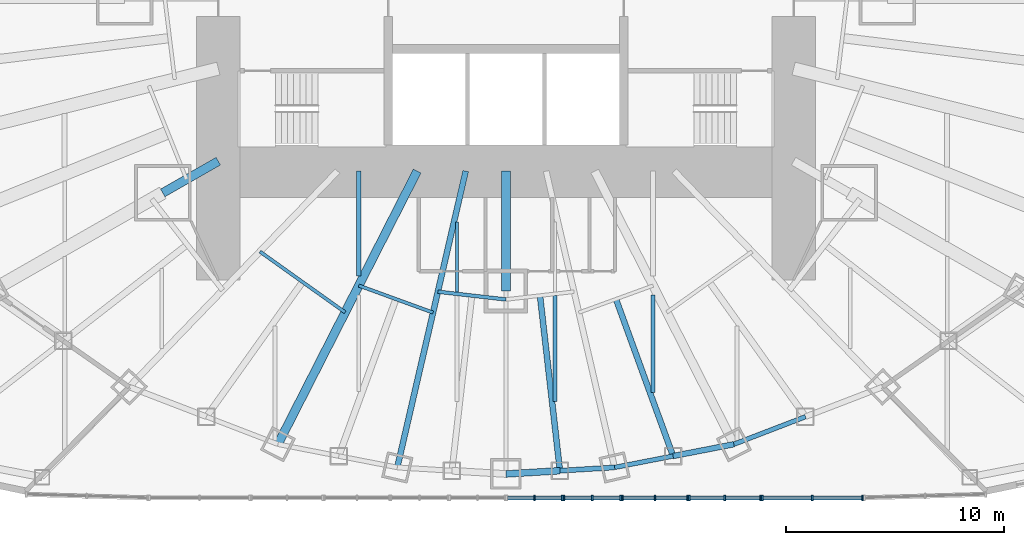
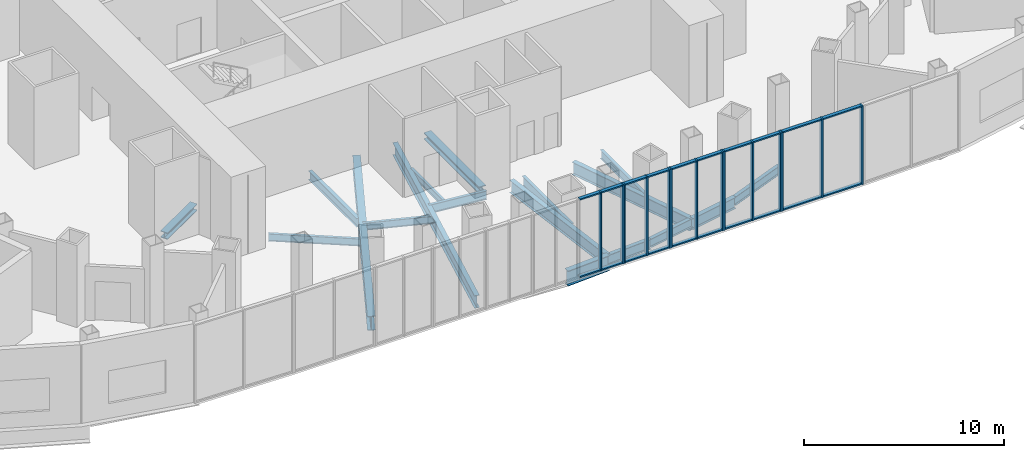
# One storey, part 4 of 73: 34 members, 18 beams, 5 elements without a shape of their own.
"""IFC4 building model written with IfcOpenShell, lengths in metres."""

from ifc_helpers import new_model, si_unit, direction, frame, origin, origin_2d, place, context, subcontext, project, spatial, rectangle, i_section, extrude, material, material_profile, profile_set, type_object, element, aggregate, save


model = new_model("IFC4")

# Units and contexts
model_context = context("Model", 3, precision=1e-05, world=origin(), true_north=direction((0.0, 1.0)))
body_context = subcontext(model_context, "Body", "Model", "MODEL_VIEW")
ifc_project = project(units=[si_unit("LENGTHUNIT", "METRE"), si_unit("AREAUNIT", "SQUARE_METRE"), si_unit("VOLUMEUNIT", "CUBIC_METRE"), si_unit("PLANEANGLEUNIT", "RADIAN"), si_unit("MASSUNIT", "GRAM", prefix="KILO")], contexts=[model_context])

# Site, building, storey
site_placement = place(None, origin())
site = spatial("IfcSite", under=ifc_project, at=site_placement, CompositionType="ELEMENT")
building_placement = place(site_placement, origin())
building = spatial("IfcBuilding", under=site, at=building_placement, Name="Lantaw Convention Tower", CompositionType="ELEMENT")
storey_placement = place(building_placement, frame((0.0, 0.0, 22.0)))
storey = spatial("IfcBuildingStorey", under=building, at=storey_placement, Name="L03", CompositionType="ELEMENT", Elevation=22.0)

# Beams
ifc_material_1 = material(Name="Steel ASTM A992", Category="steel")
ifc_material_profile_1 = material_profile(ifc_material_1, i_section(OverallWidth=0.2099609375, OverallDepth=0.535888671875, WebThickness=0.010986328125, FlangeThickness=0.017333984375, FilletRadius=0.012939453125, at=origin_2d()), Name="W21X68")
ifc_profile_set_1 = profile_set([ifc_material_profile_1], Name="Steel ASTM A992")
beam_type_1 = type_object("IfcBeamType", Name="Beam E W21X68", PredefinedType="SPANDREL", material=ifc_profile_set_1)
beam_1_placement = place(storey_placement, frame((4.986328125, -21.59814453125, -0.468017578125), z_axis=(0.981637218105, 0.190757364289, 0.0), x_axis=(-0.190757364289, 0.981637218105, 0.0)))
element("IfcBeam", 1, at=beam_1_placement, inside=storey, type_object=beam_type_1, Name="Edge beam 20", PredefinedType="SPANDREL", context=body_context, shape_type="SweptSolid", body=[
    extrude(i_section(OverallWidth=0.2099609375, OverallDepth=0.535888671875, WebThickness=0.010986328125, FlangeThickness=0.017333984375, FilletRadius=0.012939453125, at=origin_2d()), origin(), (0.0, 0.0, 1.0), 2.735107421875),
])
beam_2_placement = place(storey_placement, frame((10.462646484375, -20.533935546875, -0.468017578125), z_axis=(0.933241815012, 0.359248820058, 0.0), x_axis=(-0.359248820058, 0.933241815012, 0.0)))
element("IfcBeam", 2, at=beam_2_placement, inside=storey, type_object=beam_type_1, Name="Edge beam 21", PredefinedType="SPANDREL", context=body_context, shape_type="SweptSolid", body=[
    extrude(i_section(OverallWidth=0.2099609375, OverallDepth=0.535888671875, WebThickness=0.010986328125, FlangeThickness=0.017333984375, FilletRadius=0.012939453125, at=origin_2d()), origin(), (0.0, 0.0, 1.0), 3.517578125),
])
ifc_material_profile_2 = material_profile(ifc_material_1, i_section(OverallWidth=0.22900390625, OverallDepth=0.612060546875, WebThickness=0.011962890625, FlangeThickness=0.01953125, FilletRadius=0.0126953125, at=origin_2d()), Name="W24X84")
ifc_profile_set_2 = profile_set([ifc_material_profile_2], Name="Steel ASTM A992")
beam_type_2 = type_object("IfcBeamType", Name="Beam E W24X84", PredefinedType="SPANDREL", material=ifc_profile_set_2)
beam_3_placement = place(storey_placement, frame((2.47802734375, -21.75, -0.506103515625), z_axis=(0.998172405641, 0.060430527186, 0.0), x_axis=(-0.060430527186, 0.998172405641, 0.0)))
element("IfcBeam", 3, at=beam_3_placement, inside=storey, type_object=beam_type_2, Name="Edge beam 19", PredefinedType="SPANDREL", context=body_context, shape_type="SweptSolid", body=[
    extrude(i_section(OverallWidth=0.22900390625, OverallDepth=0.612060546875, WebThickness=0.011962890625, FlangeThickness=0.01953125, FilletRadius=0.0126953125, at=origin_2d()), origin(), (0.0, 0.0, 1.0), 2.512939453125),
])
ifc_material_profile_3 = material_profile(ifc_material_1, i_section(OverallWidth=0.256591796875, OverallDepth=0.693359375, WebThickness=0.014404296875, FlangeThickness=0.023681640625, FilletRadius=0.01513671875, at=origin_2d()), Name="W27X114")
ifc_profile_set_3 = profile_set([ifc_material_profile_3], Name="Steel ASTM A992")
beam_type_3 = type_object("IfcBeamType", Name="Beam E W27X114", PredefinedType="SPANDREL", material=ifc_profile_set_3)
beam_4_placement = place(storey_placement, frame((7.671142578125, -21.076416015625, -0.546630859375), z_axis=(0.98163593748, 0.190763954266, 0.0), x_axis=(-0.190763954266, 0.98163593748, 0.0)))
element("IfcBeam", 4, at=beam_4_placement, inside=storey, type_object=beam_type_3, Name="Edge beam 20", PredefinedType="SPANDREL", context=body_context, shape_type="SweptSolid", body=[
    extrude(i_section(OverallWidth=0.256591796875, OverallDepth=0.693359375, WebThickness=0.014404296875, FlangeThickness=0.023681640625, FilletRadius=0.01513671875, at=origin_2d()), origin(), (0.0, 0.0, 1.0), 2.84375),
])
ifc_material_profile_4 = material_profile(ifc_material_1, i_section(OverallWidth=0.307373046875, OverallDepth=0.922119140625, WebThickness=0.018310546875, FlangeThickness=0.030029296875, FilletRadius=0.0126953125, at=origin_2d()), Name="W36X182")
ifc_profile_set_4 = profile_set([ifc_material_profile_4], Name="Steel ASTM A992")
beam_type_4 = type_object("IfcBeamType", Name="Beam E W36X182", PredefinedType="SPANDREL", material=ifc_profile_set_4)
beam_5_placement = place(storey_placement, frame((0.0, -21.89990234375, -0.660888671875), z_axis=(0.998175328335, 0.060382231685, 0.0), x_axis=(-0.060382231685, 0.998175328335, 0.0)))
element("IfcBeam", 5, at=beam_5_placement, inside=storey, type_object=beam_type_4, Name="Edge beam 19", PredefinedType="SPANDREL", context=body_context, shape_type="SweptSolid", body=[
    extrude(i_section(OverallWidth=0.307373046875, OverallDepth=0.922119140625, WebThickness=0.018310546875, FlangeThickness=0.030029296875, FilletRadius=0.0126953125, at=origin_2d()), origin(), (0.0, 0.0, 1.0), 2.482666015625),
])
ifc_material_profile_5 = material_profile(ifc_material_1, i_section(OverallWidth=0.2666015625, OverallDepth=0.7568359375, WebThickness=0.013916015625, FlangeThickness=0.019287109375, FilletRadius=0.0126953125, at=origin_2d()), Name="W30X108")
ifc_profile_set_5 = profile_set([ifc_material_profile_5], Name="Steel ASTM A992")
beam_type_5 = type_object("IfcBeamType", Name="Beam G W30X108", PredefinedType="BEAM", material=ifc_profile_set_5)
beam_6_placement = place(storey_placement, frame((1.5625, -13.713134765625, -0.578369140625), z_axis=(0.113183957156, -0.993574049501, 0.0), x_axis=(0.993574049501, 0.113183957156, 0.0)))
element("IfcBeam", 6, at=beam_6_placement, inside=storey, type_object=beam_type_5, Name="Floor girder on bisector 19", PredefinedType="BEAM", context=body_context, shape_type="SweptSolid", body=[
    extrude(i_section(OverallWidth=0.2666015625, OverallDepth=0.7568359375, WebThickness=0.013916015625, FlangeThickness=0.019287109375, FilletRadius=0.0126953125, at=origin_2d()), origin(), (0.0, 0.0, 1.0), 8.0888671875),
])
ifc_material_profile_6 = material_profile(ifc_material_1, i_section(OverallWidth=0.2666015625, OverallDepth=0.76953125, WebThickness=0.015625, FlangeThickness=0.025390625, FilletRadius=0.0126953125, at=origin_2d()), Name="W30X132")
ifc_profile_set_6 = profile_set([ifc_material_profile_6], Name="Steel ASTM A992")
beam_type_6 = type_object("IfcBeamType", Name="Beam G W30X132", PredefinedType="BEAM", material=ifc_profile_set_6)
beam_7_placement = place(storey_placement, frame((-1.846923828125, -8.0, -0.584716796875), z_axis=(-0.224952773175, -0.97436966796, 0.0), x_axis=(0.97436966796, -0.224952773175, 0.0)))
element("IfcBeam", 7, at=beam_7_placement, inside=storey, type_object=beam_type_6, Name="Floor girder on ray 18", PredefinedType="BEAM", context=body_context, shape_type="SweptSolid", body=[
    extrude(i_section(OverallWidth=0.2666015625, OverallDepth=0.76953125, WebThickness=0.015625, FlangeThickness=0.025390625, FilletRadius=0.0126953125, at=origin_2d()), origin(), (0.0, 0.0, 1.0), 13.955810546875),
])
beam_8_placement = place(storey_placement, frame((5.04931640625, -13.873046875, -0.584716796875), z_axis=(0.342021781151, -0.939692024664, 0.0), x_axis=(0.939692024664, 0.342021781151, 0.0)))
element("IfcBeam", 8, at=beam_8_placement, inside=storey, type_object=beam_type_6, Name="Floor girder on bisector 20", PredefinedType="BEAM", context=body_context, shape_type="SweptSolid", body=[
    extrude(i_section(OverallWidth=0.2666015625, OverallDepth=0.76953125, WebThickness=0.015625, FlangeThickness=0.025390625, FilletRadius=0.0126953125, at=origin_2d()), origin(), (0.0, 0.0, 1.0), 7.665771484375),
])
ifc_material_profile_7 = material_profile(ifc_material_1, i_section(OverallWidth=0.398681640625, OverallDepth=0.85595703125, WebThickness=0.01806640625, FlangeThickness=0.029296875, FilletRadius=0.016357421875, at=origin_2d()), Name="W33X201")
ifc_profile_set_7 = profile_set([ifc_material_profile_7], Name="Steel ASTM A992")
beam_type_7 = type_object("IfcBeamType", Name="Beam G W33X201", PredefinedType="BEAM", material=ifc_profile_set_7)
beam_9_placement = place(storey_placement, frame((-4.076171875, -8.0, -0.6279296875), z_axis=(-0.453997016122, -0.891003203896, 0.0), x_axis=(0.891003203896, -0.453997016122, 0.0)))
element("IfcBeam", 9, at=beam_9_placement, inside=storey, type_object=beam_type_7, Name="Floor girder on ray 17", PredefinedType="BEAM", context=body_context, shape_type="SweptSolid", body=[
    extrude(i_section(OverallWidth=0.398681640625, OverallDepth=0.85595703125, WebThickness=0.01806640625, FlangeThickness=0.029296875, FilletRadius=0.016357421875, at=origin_2d()), origin(), (0.0, 0.0, 1.0), 14.067138671875),
])
ifc_material_profile_8 = material_profile(ifc_material_1, i_section(OverallWidth=0.40380859375, OverallDepth=0.406494140625, WebThickness=0.027099609375, FlangeThickness=0.043701171875, FilletRadius=0.01513671875, at=origin_2d()), Name="W14X233")
ifc_profile_set_8 = profile_set([ifc_material_profile_8], Name="Steel ASTM A992")
beam_type_8 = type_object("IfcBeamType", Name="Beam GM W14X233", PredefinedType="BEAM", material=ifc_profile_set_8)
beam_10_placement = place(storey_placement, frame((-13.199951171875, -7.54296875, -0.4033203125), z_axis=(-0.868263603466, -0.496103129295, 0.0), x_axis=(0.496103129295, -0.868263603466, 0.0)))
element("IfcBeam", 10, at=beam_10_placement, inside=storey, type_object=beam_type_8, Name="Core link beam on ray 15", PredefinedType="BEAM", context=body_context, shape_type="SweptSolid", body=[
    extrude(i_section(OverallWidth=0.40380859375, OverallDepth=0.406494140625, WebThickness=0.027099609375, FlangeThickness=0.043701171875, FilletRadius=0.01513671875, at=origin_2d()), origin(), (0.0, 0.0, 1.0), 2.93701171875),
])
beam_11_placement = place(storey_placement, frame((0.0, -8.0, -0.4033203125), z_axis=(0.0, -1.0, 0.0), x_axis=(1.0, 0.0, 0.0)))
element("IfcBeam", 11, at=beam_11_placement, inside=storey, type_object=beam_type_8, Name="Core link beam on ray 19", PredefinedType="BEAM", context=body_context, shape_type="SweptSolid", body=[
    extrude(i_section(OverallWidth=0.40380859375, OverallDepth=0.406494140625, WebThickness=0.027099609375, FlangeThickness=0.043701171875, FilletRadius=0.01513671875, at=origin_2d()), origin(), (0.0, 0.0, 1.0), 5.5),
])
ifc_material_profile_9 = material_profile(ifc_material_1, i_section(OverallWidth=0.15234375, OverallDepth=0.449462890625, WebThickness=0.007568359375, FlangeThickness=0.0107421875, FilletRadius=0.01025390625, at=origin_2d()), Name="W18X35")
ifc_profile_set_9 = profile_set([ifc_material_profile_9], Name="Steel ASTM A992")
beam_type_9 = type_object("IfcBeamType", Name="Beam HC W18X35", PredefinedType="BEAM", material=ifc_profile_set_9)
beam_12_placement = place(storey_placement, frame((-11.291748046875, -11.69287109375, -0.4248046875), z_axis=(0.814110909588, -0.580709416912, 0.0), x_axis=(0.580709416912, 0.814110909588, 0.0)))
element("IfcBeam", 12, at=beam_12_placement, inside=storey, type_object=beam_type_9, Name="Collar beam on bisector 16", PredefinedType="BEAM", context=body_context, shape_type="SweptSolid", body=[
    extrude(i_section(OverallWidth=0.15234375, OverallDepth=0.449462890625, WebThickness=0.007568359375, FlangeThickness=0.0107421875, FilletRadius=0.01025390625, at=origin_2d()), origin(), (0.0, 0.0, 1.0), 4.805419921875),
])
beam_13_placement = place(storey_placement, frame((-6.752685546875, -13.253173828125, -0.4248046875), z_axis=(0.939689171859, -0.342029619025, 0.0), x_axis=(0.342029619025, 0.939689171859, 0.0)))
element("IfcBeam", 13, at=beam_13_placement, inside=storey, type_object=beam_type_9, Name="Collar beam on bisector 17", PredefinedType="BEAM", context=body_context, shape_type="SweptSolid", body=[
    extrude(i_section(OverallWidth=0.15234375, OverallDepth=0.449462890625, WebThickness=0.007568359375, FlangeThickness=0.0107421875, FilletRadius=0.01025390625, at=origin_2d()), origin(), (0.0, 0.0, 1.0), 3.62548828125),
])
ifc_material_profile_10 = material_profile(ifc_material_1, i_section(OverallWidth=0.165771484375, OverallDepth=0.5283203125, WebThickness=0.009765625, FlangeThickness=0.013671875, FilletRadius=0.012939453125, at=origin_2d()), Name="W21X50")
ifc_profile_set_10 = profile_set([ifc_material_profile_10], Name="Steel ASTM A992")
beam_type_10 = type_object("IfcBeamType", Name="Beam HC W21X50", PredefinedType="BEAM", material=ifc_profile_set_10)
beam_14_placement = place(storey_placement, frame((-3.124755859375, -13.534912109375, -0.464111328125), z_axis=(0.99356540907, -0.113259780595, 0.0), x_axis=(0.113259780595, 0.99356540907, 0.0)))
element("IfcBeam", 14, at=beam_14_placement, inside=storey, type_object=beam_type_10, Name="Collar beam on bisector 18", PredefinedType="BEAM", context=body_context, shape_type="SweptSolid", body=[
    extrude(i_section(OverallWidth=0.165771484375, OverallDepth=0.5283203125, WebThickness=0.009765625, FlangeThickness=0.013671875, FilletRadius=0.012939453125, at=origin_2d()), origin(), (0.0, 0.0, 1.0), 3.14501953125),
])
ifc_material_profile_11 = material_profile(ifc_material_1, i_section(OverallWidth=0.140380859375, OverallDepth=0.40380859375, WebThickness=0.007080078125, FlangeThickness=0.01123046875, FilletRadius=0.01025390625, at=origin_2d()), Name="W16X31")
ifc_profile_set_11 = profile_set([ifc_material_profile_11], Name="Steel ASTM A992")
beam_type_11 = type_object("IfcBeamType", Name="Beam J W16X31", PredefinedType="JOIST", material=ifc_profile_set_11)
beam_15_placement = place(storey_placement, frame((-2.25, -13.55126953125, -0.40185546875), z_axis=(0.0, 1.0, 0.0), x_axis=(-1.0, 0.0, 0.0)))
element("IfcBeam", 15, at=beam_15_placement, inside=storey, type_object=beam_type_11, Name="Floor joist", PredefinedType="JOIST", context=body_context, shape_type="SweptSolid", body=[
    extrude(i_section(OverallWidth=0.140380859375, OverallDepth=0.40380859375, WebThickness=0.007080078125, FlangeThickness=0.01123046875, FilletRadius=0.01025390625, at=origin_2d()), origin(), (0.0, 0.0, 1.0), 3.212646484375),
])
ifc_material_profile_12 = material_profile(ifc_material_1, i_section(OverallWidth=0.1650390625, OverallDepth=0.52587890625, WebThickness=0.0087890625, FlangeThickness=0.011474609375, FilletRadius=0.0126953125, at=origin_2d()), Name="W21X44")
ifc_profile_set_12 = profile_set([ifc_material_profile_12], Name="Steel ASTM A992")
beam_type_12 = type_object("IfcBeamType", Name="Beam J W21X44", PredefinedType="JOIST", material=ifc_profile_set_12)
beam_16_placement = place(storey_placement, frame((6.75, -18.155517578125, -0.462890625), z_axis=(0.0, 1.0, 0.0), x_axis=(-1.0, 0.0, 0.0)))
element("IfcBeam", 16, at=beam_16_placement, inside=storey, type_object=beam_type_12, Name="Floor joist", PredefinedType="JOIST", context=body_context, shape_type="SweptSolid", body=[
    extrude(i_section(OverallWidth=0.1650390625, OverallDepth=0.52587890625, WebThickness=0.0087890625, FlangeThickness=0.011474609375, FilletRadius=0.0126953125, at=origin_2d()), origin(), (0.0, 0.0, 1.0), 4.462158203125),
])
ifc_material_profile_13 = material_profile(ifc_material_1, i_section(OverallWidth=0.2099609375, OverallDepth=0.535888671875, WebThickness=0.010986328125, FlangeThickness=0.017333984375, FilletRadius=0.012939453125, at=origin_2d()), Name="W21X68")
ifc_profile_set_13 = profile_set([ifc_material_profile_13], Name="Steel ASTM A992")
beam_type_13 = type_object("IfcBeamType", Name="Beam J W21X68", PredefinedType="JOIST", material=ifc_profile_set_13)
beam_17_placement = place(storey_placement, frame((-6.75, -12.808349609375, -0.468017578125), z_axis=(0.0, 1.0, 0.0), x_axis=(-1.0, 0.0, 0.0)))
element("IfcBeam", 17, at=beam_17_placement, inside=storey, type_object=beam_type_13, Name="Floor joist", PredefinedType="JOIST", context=body_context, shape_type="SweptSolid", body=[
    extrude(i_section(OverallWidth=0.2099609375, OverallDepth=0.535888671875, WebThickness=0.010986328125, FlangeThickness=0.017333984375, FilletRadius=0.012939453125, at=origin_2d()), origin(), (0.0, 0.0, 1.0), 4.808349609375),
])
ifc_material_profile_14 = material_profile(ifc_material_1, i_section(OverallWidth=0.177978515625, OverallDepth=0.599365234375, WebThickness=0.010009765625, FlangeThickness=0.012939453125, FilletRadius=0.012939453125, at=origin_2d()), Name="W24X55")
ifc_profile_set_14 = profile_set([ifc_material_profile_14], Name="Steel ASTM A992")
beam_type_14 = type_object("IfcBeamType", Name="Beam J W24X55", PredefinedType="JOIST", material=ifc_profile_set_14)
beam_18_placement = place(storey_placement, frame((2.25, -18.570068359375, -0.499755859375), z_axis=(0.0, 1.0, 0.0), x_axis=(-1.0, 0.0, 0.0)))
element("IfcBeam", 18, at=beam_18_placement, inside=storey, type_object=beam_type_14, Name="Floor joist", PredefinedType="JOIST", context=body_context, shape_type="SweptSolid", body=[
    extrude(i_section(OverallWidth=0.177978515625, OverallDepth=0.599365234375, WebThickness=0.010009765625, FlangeThickness=0.012939453125, FilletRadius=0.012939453125, at=origin_2d()), origin(), (0.0, 0.0, 1.0), 4.851806640625),
])

# Curtain wall, members
ifc_material_2 = material(Name="Aluminium framed curtain wall", Category="aluminium")
curtain_wall_type = type_object("IfcCurtainWallType", Name="Podium storefront curtain wall, pale aluminium", PredefinedType="USERDEFINED", material=ifc_material_2)
curtain_wall_1_placement = place(storey_placement, origin())
curtain_wall_1 = element("IfcCurtainWall", 19, at=curtain_wall_1_placement, inside=storey, type_object=curtain_wall_type, Name="Podium storefront curtain wall, pale aluminium L03", ObjectType="STOREFRONT", PredefinedType="USERDEFINED")
ifc_material_3 = material(Name="Aluminium 6063-T6", Category="aluminium")
ifc_material_profile_15 = material_profile(ifc_material_3, rectangle(XDim=0.25, YDim=0.080078125, at=origin_2d()), Name="CW-P mullion 80x250")
ifc_profile_set_15 = profile_set([ifc_material_profile_15], Name="Aluminium 6063-T6")
member_type_1 = type_object("IfcMemberType", Name="CW-P mullion 80x250", PredefinedType="MULLION", material=ifc_profile_set_15)
member_1_placement = place(storey_placement, frame((1.310302734375, -23.0, 0.0), z_axis=(0.0, 0.0, 1.0), x_axis=(0.0, 1.0, 0.0)))
member_1 = element("IfcMember", 20, at=member_1_placement, type_object=member_type_1, Name="CW-P mullion 2", PredefinedType="MULLION", context=body_context, shape_type="SweptSolid", body=[
    extrude(rectangle(XDim=0.25, YDim=0.080078125, at=origin_2d()), origin(), (0.0, 0.0, 1.0), 4.800048828125),
])
member_2_placement = place(storey_placement, frame((2.58056640625, -23.0, 0.0), z_axis=(0.0, 0.0, 1.0), x_axis=(0.0, 1.0, 0.0)))
member_2 = element("IfcMember", 21, at=member_2_placement, type_object=member_type_1, Name="CW-P mullion 3", PredefinedType="MULLION", context=body_context, shape_type="SweptSolid", body=[
    extrude(rectangle(XDim=0.25, YDim=0.080078125, at=origin_2d()), origin(), (0.0, 0.0, 1.0), 4.800048828125),
])

curtain_wall_2_placement = place(storey_placement, origin())
curtain_wall_2 = element("IfcCurtainWall", 22, at=curtain_wall_2_placement, inside=storey, type_object=curtain_wall_type, Name="Podium storefront curtain wall, pale aluminium L03", ObjectType="STOREFRONT", PredefinedType="USERDEFINED")
member_3_placement = place(storey_placement, frame((2.660400390625, -23.0, 0.0), z_axis=(0.0, 0.0, 1.0), x_axis=(0.0, 1.0, 0.0)))
member_3 = element("IfcMember", 23, at=member_3_placement, type_object=member_type_1, Name="CW-P mullion 1", PredefinedType="MULLION", context=body_context, shape_type="SweptSolid", body=[
    extrude(rectangle(XDim=0.25, YDim=0.080078125, at=origin_2d()), origin(), (0.0, 0.0, 1.0), 4.800048828125),
])
member_4_placement = place(storey_placement, frame((3.96533203125, -23.0, 0.0), z_axis=(0.0, 0.0, 1.0), x_axis=(0.0, 1.0, 0.0)))
member_4 = element("IfcMember", 24, at=member_4_placement, type_object=member_type_1, Name="CW-P mullion 2", PredefinedType="MULLION", context=body_context, shape_type="SweptSolid", body=[
    extrude(rectangle(XDim=0.25, YDim=0.080078125, at=origin_2d()), origin(), (0.0, 0.0, 1.0), 4.800048828125),
])
member_5_placement = place(storey_placement, frame((5.27001953125, -23.0, 0.0), z_axis=(0.0, 0.0, 1.0), x_axis=(0.0, 1.0, 0.0)))
member_5 = element("IfcMember", 25, at=member_5_placement, type_object=member_type_1, Name="CW-P mullion 3", PredefinedType="MULLION", context=body_context, shape_type="SweptSolid", body=[
    extrude(rectangle(XDim=0.25, YDim=0.080078125, at=origin_2d()), origin(), (0.0, 0.0, 1.0), 4.800048828125),
])

curtain_wall_3_placement = place(storey_placement, origin())
curtain_wall_3 = element("IfcCurtainWall", 26, at=curtain_wall_3_placement, inside=storey, type_object=curtain_wall_type, Name="Podium storefront curtain wall, pale aluminium L03", ObjectType="STOREFRONT", PredefinedType="USERDEFINED")
member_6_placement = place(storey_placement, frame((5.349853515625, -23.0, 0.0), z_axis=(0.0, 0.0, 1.0), x_axis=(0.0, 1.0, 0.0)))
member_6 = element("IfcMember", 27, at=member_6_placement, type_object=member_type_1, Name="CW-P mullion 1", PredefinedType="MULLION", context=body_context, shape_type="SweptSolid", body=[
    extrude(rectangle(XDim=0.25, YDim=0.080078125, at=origin_2d()), origin(), (0.0, 0.0, 1.0), 4.800048828125),
])
member_7_placement = place(storey_placement, frame((6.840576171875, -23.0, 0.0), z_axis=(0.0, 0.0, 1.0), x_axis=(0.0, 1.0, 0.0)))
member_7 = element("IfcMember", 28, at=member_7_placement, type_object=member_type_1, Name="CW-P mullion 2", PredefinedType="MULLION", context=body_context, shape_type="SweptSolid", body=[
    extrude(rectangle(XDim=0.25, YDim=0.080078125, at=origin_2d()), origin(), (0.0, 0.0, 1.0), 4.800048828125),
])
member_8_placement = place(storey_placement, frame((8.331298828125, -23.0, 0.0), z_axis=(0.0, 0.0, 1.0), x_axis=(0.0, 1.0, 0.0)))
member_8 = element("IfcMember", 29, at=member_8_placement, type_object=member_type_1, Name="CW-P mullion 3", PredefinedType="MULLION", context=body_context, shape_type="SweptSolid", body=[
    extrude(rectangle(XDim=0.25, YDim=0.080078125, at=origin_2d()), origin(), (0.0, 0.0, 1.0), 4.800048828125),
])

curtain_wall_4_placement = place(storey_placement, origin())
curtain_wall_4 = element("IfcCurtainWall", 30, at=curtain_wall_4_placement, inside=storey, type_object=curtain_wall_type, Name="Podium storefront curtain wall, pale aluminium L03", ObjectType="STOREFRONT", PredefinedType="USERDEFINED")
member_9_placement = place(storey_placement, frame((8.411376953125, -23.0, 0.0), z_axis=(0.0, 0.0, 1.0), x_axis=(0.0, 1.0, 0.0)))
member_9 = element("IfcMember", 31, at=member_9_placement, type_object=member_type_1, Name="CW-P mullion 1", PredefinedType="MULLION", context=body_context, shape_type="SweptSolid", body=[
    extrude(rectangle(XDim=0.25, YDim=0.080078125, at=origin_2d()), origin(), (0.0, 0.0, 1.0), 4.800048828125),
])
member_10_placement = place(storey_placement, frame((10.045166015625, -23.0, 0.0), z_axis=(0.0, 0.0, 1.0), x_axis=(0.0, 1.0, 0.0)))
member_10 = element("IfcMember", 32, at=member_10_placement, type_object=member_type_1, Name="CW-P mullion 2", PredefinedType="MULLION", context=body_context, shape_type="SweptSolid", body=[
    extrude(rectangle(XDim=0.25, YDim=0.080078125, at=origin_2d()), origin(), (0.0, 0.0, 1.0), 4.800048828125),
])
member_11_placement = place(storey_placement, frame((11.67919921875, -23.0, 0.0), z_axis=(0.0, 0.0, 1.0), x_axis=(0.0, 1.0, 0.0)))
member_11 = element("IfcMember", 33, at=member_11_placement, type_object=member_type_1, Name="CW-P mullion 3", PredefinedType="MULLION", context=body_context, shape_type="SweptSolid", body=[
    extrude(rectangle(XDim=0.25, YDim=0.080078125, at=origin_2d()), origin(), (0.0, 0.0, 1.0), 4.800048828125),
])

curtain_wall_5_placement = place(storey_placement, origin())
curtain_wall_5 = element("IfcCurtainWall", 34, at=curtain_wall_5_placement, inside=storey, type_object=curtain_wall_type, Name="Podium storefront curtain wall, pale aluminium L03", ObjectType="STOREFRONT", PredefinedType="USERDEFINED")
member_12_placement = place(storey_placement, frame((11.759033203125, -23.0, 0.0), z_axis=(0.0, 0.0, 1.0), x_axis=(0.0, 1.0, 0.0)))
member_12 = element("IfcMember", 35, at=member_12_placement, type_object=member_type_1, Name="CW-P mullion 1", PredefinedType="MULLION", context=body_context, shape_type="SweptSolid", body=[
    extrude(rectangle(XDim=0.25, YDim=0.080078125, at=origin_2d()), origin(), (0.0, 0.0, 1.0), 4.800048828125),
])
member_13_placement = place(storey_placement, frame((14.0625, -23.0, 0.0), z_axis=(0.0, 0.0, 1.0), x_axis=(0.0, 1.0, 0.0)))
member_13 = element("IfcMember", 36, at=member_13_placement, type_object=member_type_1, Name="CW-P mullion 2", PredefinedType="MULLION", context=body_context, shape_type="SweptSolid", body=[
    extrude(rectangle(XDim=0.25, YDim=0.080078125, at=origin_2d()), origin(), (0.0, 0.0, 1.0), 4.800048828125),
])
member_14_placement = place(storey_placement, frame((16.36572265625, -23.0, 0.0), z_axis=(0.0, 0.0, 1.0), x_axis=(0.0, 1.0, 0.0)))
member_14 = element("IfcMember", 37, at=member_14_placement, type_object=member_type_1, Name="CW-P mullion 3", PredefinedType="MULLION", context=body_context, shape_type="SweptSolid", body=[
    extrude(rectangle(XDim=0.25, YDim=0.080078125, at=origin_2d()), origin(), (0.0, 0.0, 1.0), 4.800048828125),
])

# Member
ifc_material_profile_16 = material_profile(ifc_material_3, rectangle(XDim=0.199951171875, YDim=0.080078125, at=origin_2d()), Name="CW-P transom 80x200")
ifc_profile_set_16 = profile_set([ifc_material_profile_16], Name="Aluminium 6063-T6")
member_type_2 = type_object("IfcMemberType", Name="CW-P transom 80x200", PredefinedType="USERDEFINED", material=ifc_profile_set_16)
member_15_placement = place(storey_placement, frame((0.080078125, -23.0, 0.0400390625), z_axis=(1.0, 0.0, 0.0), x_axis=(0.0, 1.0, 0.0)))
member_15 = element("IfcMember", 38, at=member_15_placement, type_object=member_type_2, Name="CW-P transom 1.1", ObjectType="TRANSOM", PredefinedType="USERDEFINED", context=body_context, shape_type="SweptSolid", body=[
    extrude(rectangle(XDim=0.199951171875, YDim=0.080078125, at=origin_2d()), origin(), (0.0, 0.0, 1.0), 1.190185546875),
])

member_16_placement = place(storey_placement, frame((0.080078125, -23.0, 4.760009765625), z_axis=(1.0, 0.0, 0.0), x_axis=(0.0, 1.0, 0.0)))
member_16 = element("IfcMember", 39, at=member_16_placement, type_object=member_type_2, Name="CW-P transom 1.2", ObjectType="TRANSOM", PredefinedType="USERDEFINED", context=body_context, shape_type="SweptSolid", body=[
    extrude(rectangle(XDim=0.199951171875, YDim=0.080078125, at=origin_2d()), origin(), (0.0, 0.0, 1.0), 1.190185546875),
])

member_17_placement = place(storey_placement, frame((1.350341796875, -23.0, 0.0400390625), z_axis=(1.0, 0.0, 0.0), x_axis=(0.0, 1.0, 0.0)))
member_17 = element("IfcMember", 40, at=member_17_placement, type_object=member_type_2, Name="CW-P transom 2.1", ObjectType="TRANSOM", PredefinedType="USERDEFINED", context=body_context, shape_type="SweptSolid", body=[
    extrude(rectangle(XDim=0.199951171875, YDim=0.080078125, at=origin_2d()), origin(), (0.0, 0.0, 1.0), 1.190185546875),
])

member_18_placement = place(storey_placement, frame((1.350341796875, -23.0, 4.760009765625), z_axis=(1.0, 0.0, 0.0), x_axis=(0.0, 1.0, 0.0)))
member_18 = element("IfcMember", 41, at=member_18_placement, type_object=member_type_2, Name="CW-P transom 2.2", ObjectType="TRANSOM", PredefinedType="USERDEFINED", context=body_context, shape_type="SweptSolid", body=[
    extrude(rectangle(XDim=0.199951171875, YDim=0.080078125, at=origin_2d()), origin(), (0.0, 0.0, 1.0), 1.190185546875),
])

aggregate(curtain_wall_1, [member_1, member_2, member_15, member_16, member_17, member_18])

member_19_placement = place(storey_placement, frame((2.700439453125, -23.0, 0.0400390625), z_axis=(1.0, 0.0, 0.0), x_axis=(0.0, 1.0, 0.0)))
member_19 = element("IfcMember", 42, at=member_19_placement, type_object=member_type_2, Name="CW-P transom 1.1", ObjectType="TRANSOM", PredefinedType="USERDEFINED", context=body_context, shape_type="SweptSolid", body=[
    extrude(rectangle(XDim=0.199951171875, YDim=0.080078125, at=origin_2d()), origin(), (0.0, 0.0, 1.0), 1.224853515625),
])

member_20_placement = place(storey_placement, frame((2.700439453125, -23.0, 4.760009765625), z_axis=(1.0, 0.0, 0.0), x_axis=(0.0, 1.0, 0.0)))
member_20 = element("IfcMember", 43, at=member_20_placement, type_object=member_type_2, Name="CW-P transom 1.2", ObjectType="TRANSOM", PredefinedType="USERDEFINED", context=body_context, shape_type="SweptSolid", body=[
    extrude(rectangle(XDim=0.199951171875, YDim=0.080078125, at=origin_2d()), origin(), (0.0, 0.0, 1.0), 1.224853515625),
])

member_21_placement = place(storey_placement, frame((4.005126953125, -23.0, 0.0400390625), z_axis=(1.0, 0.0, 0.0), x_axis=(0.0, 1.0, 0.0)))
member_21 = element("IfcMember", 44, at=member_21_placement, type_object=member_type_2, Name="CW-P transom 2.1", ObjectType="TRANSOM", PredefinedType="USERDEFINED", context=body_context, shape_type="SweptSolid", body=[
    extrude(rectangle(XDim=0.199951171875, YDim=0.080078125, at=origin_2d()), origin(), (0.0, 0.0, 1.0), 1.224853515625),
])

member_22_placement = place(storey_placement, frame((4.005126953125, -23.0, 4.760009765625), z_axis=(1.0, 0.0, 0.0), x_axis=(0.0, 1.0, 0.0)))
member_22 = element("IfcMember", 45, at=member_22_placement, type_object=member_type_2, Name="CW-P transom 2.2", ObjectType="TRANSOM", PredefinedType="USERDEFINED", context=body_context, shape_type="SweptSolid", body=[
    extrude(rectangle(XDim=0.199951171875, YDim=0.080078125, at=origin_2d()), origin(), (0.0, 0.0, 1.0), 1.224853515625),
])

aggregate(curtain_wall_2, [member_3, member_4, member_5, member_19, member_20, member_21, member_22])

member_23_placement = place(storey_placement, frame((5.389892578125, -23.0, 0.0400390625), z_axis=(1.0, 0.0, 0.0), x_axis=(0.0, 1.0, 0.0)))
member_23 = element("IfcMember", 46, at=member_23_placement, type_object=member_type_2, Name="CW-P transom 1.1", ObjectType="TRANSOM", PredefinedType="USERDEFINED", context=body_context, shape_type="SweptSolid", body=[
    extrude(rectangle(XDim=0.199951171875, YDim=0.080078125, at=origin_2d()), origin(), (0.0, 0.0, 1.0), 1.41064453125),
])

member_24_placement = place(storey_placement, frame((5.389892578125, -23.0, 4.760009765625), z_axis=(1.0, 0.0, 0.0), x_axis=(0.0, 1.0, 0.0)))
member_24 = element("IfcMember", 47, at=member_24_placement, type_object=member_type_2, Name="CW-P transom 1.2", ObjectType="TRANSOM", PredefinedType="USERDEFINED", context=body_context, shape_type="SweptSolid", body=[
    extrude(rectangle(XDim=0.199951171875, YDim=0.080078125, at=origin_2d()), origin(), (0.0, 0.0, 1.0), 1.41064453125),
])

member_25_placement = place(storey_placement, frame((6.880615234375, -23.0, 0.0400390625), z_axis=(1.0, 0.0, 0.0), x_axis=(0.0, 1.0, 0.0)))
member_25 = element("IfcMember", 48, at=member_25_placement, type_object=member_type_2, Name="CW-P transom 2.1", ObjectType="TRANSOM", PredefinedType="USERDEFINED", context=body_context, shape_type="SweptSolid", body=[
    extrude(rectangle(XDim=0.199951171875, YDim=0.080078125, at=origin_2d()), origin(), (0.0, 0.0, 1.0), 1.41064453125),
])

member_26_placement = place(storey_placement, frame((6.880615234375, -23.0, 4.760009765625), z_axis=(1.0, 0.0, 0.0), x_axis=(0.0, 1.0, 0.0)))
member_26 = element("IfcMember", 49, at=member_26_placement, type_object=member_type_2, Name="CW-P transom 2.2", ObjectType="TRANSOM", PredefinedType="USERDEFINED", context=body_context, shape_type="SweptSolid", body=[
    extrude(rectangle(XDim=0.199951171875, YDim=0.080078125, at=origin_2d()), origin(), (0.0, 0.0, 1.0), 1.41064453125),
])

aggregate(curtain_wall_3, [member_6, member_7, member_8, member_23, member_24, member_25, member_26])

member_27_placement = place(storey_placement, frame((8.451416015625, -23.0, 0.0400390625), z_axis=(1.0, 0.0, 0.0), x_axis=(0.0, 1.0, 0.0)))
member_27 = element("IfcMember", 50, at=member_27_placement, type_object=member_type_2, Name="CW-P transom 1.1", ObjectType="TRANSOM", PredefinedType="USERDEFINED", context=body_context, shape_type="SweptSolid", body=[
    extrude(rectangle(XDim=0.199951171875, YDim=0.080078125, at=origin_2d()), origin(), (0.0, 0.0, 1.0), 1.5537109375),
])

member_28_placement = place(storey_placement, frame((8.451416015625, -23.0, 4.760009765625), z_axis=(1.0, 0.0, 0.0), x_axis=(0.0, 1.0, 0.0)))
member_28 = element("IfcMember", 51, at=member_28_placement, type_object=member_type_2, Name="CW-P transom 1.2", ObjectType="TRANSOM", PredefinedType="USERDEFINED", context=body_context, shape_type="SweptSolid", body=[
    extrude(rectangle(XDim=0.199951171875, YDim=0.080078125, at=origin_2d()), origin(), (0.0, 0.0, 1.0), 1.5537109375),
])

member_29_placement = place(storey_placement, frame((10.085205078125, -23.0, 0.0400390625), z_axis=(1.0, 0.0, 0.0), x_axis=(0.0, 1.0, 0.0)))
member_29 = element("IfcMember", 52, at=member_29_placement, type_object=member_type_2, Name="CW-P transom 2.1", ObjectType="TRANSOM", PredefinedType="USERDEFINED", context=body_context, shape_type="SweptSolid", body=[
    extrude(rectangle(XDim=0.199951171875, YDim=0.080078125, at=origin_2d()), origin(), (0.0, 0.0, 1.0), 1.553955078125),
])

member_30_placement = place(storey_placement, frame((10.085205078125, -23.0, 4.760009765625), z_axis=(1.0, 0.0, 0.0), x_axis=(0.0, 1.0, 0.0)))
member_30 = element("IfcMember", 53, at=member_30_placement, type_object=member_type_2, Name="CW-P transom 2.2", ObjectType="TRANSOM", PredefinedType="USERDEFINED", context=body_context, shape_type="SweptSolid", body=[
    extrude(rectangle(XDim=0.199951171875, YDim=0.080078125, at=origin_2d()), origin(), (0.0, 0.0, 1.0), 1.553955078125),
])

aggregate(curtain_wall_4, [member_9, member_10, member_11, member_27, member_28, member_29, member_30])

member_31_placement = place(storey_placement, frame((11.799072265625, -23.0, 0.0400390625), z_axis=(1.0, 0.0, 0.0), x_axis=(0.0, 1.0, 0.0)))
member_31 = element("IfcMember", 54, at=member_31_placement, type_object=member_type_2, Name="CW-P transom 1.1", ObjectType="TRANSOM", PredefinedType="USERDEFINED", context=body_context, shape_type="SweptSolid", body=[
    extrude(rectangle(XDim=0.199951171875, YDim=0.080078125, at=origin_2d()), origin(), (0.0, 0.0, 1.0), 2.223388671875),
])

member_32_placement = place(storey_placement, frame((11.799072265625, -23.0, 4.760009765625), z_axis=(1.0, 0.0, 0.0), x_axis=(0.0, 1.0, 0.0)))
member_32 = element("IfcMember", 55, at=member_32_placement, type_object=member_type_2, Name="CW-P transom 1.2", ObjectType="TRANSOM", PredefinedType="USERDEFINED", context=body_context, shape_type="SweptSolid", body=[
    extrude(rectangle(XDim=0.199951171875, YDim=0.080078125, at=origin_2d()), origin(), (0.0, 0.0, 1.0), 2.223388671875),
])

member_33_placement = place(storey_placement, frame((14.102294921875, -23.0, 0.0400390625), z_axis=(1.0, 0.0, 0.0), x_axis=(0.0, 1.0, 0.0)))
member_33 = element("IfcMember", 56, at=member_33_placement, type_object=member_type_2, Name="CW-P transom 2.1", ObjectType="TRANSOM", PredefinedType="USERDEFINED", context=body_context, shape_type="SweptSolid", body=[
    extrude(rectangle(XDim=0.199951171875, YDim=0.080078125, at=origin_2d()), origin(), (0.0, 0.0, 1.0), 2.223388671875),
])

member_34_placement = place(storey_placement, frame((14.102294921875, -23.0, 4.760009765625), z_axis=(1.0, 0.0, 0.0), x_axis=(0.0, 1.0, 0.0)))
member_34 = element("IfcMember", 57, at=member_34_placement, type_object=member_type_2, Name="CW-P transom 2.2", ObjectType="TRANSOM", PredefinedType="USERDEFINED", context=body_context, shape_type="SweptSolid", body=[
    extrude(rectangle(XDim=0.199951171875, YDim=0.080078125, at=origin_2d()), origin(), (0.0, 0.0, 1.0), 2.223388671875),
])

aggregate(curtain_wall_5, [member_12, member_13, member_14, member_31, member_32, member_33, member_34])

save(model, "model.ifc")
